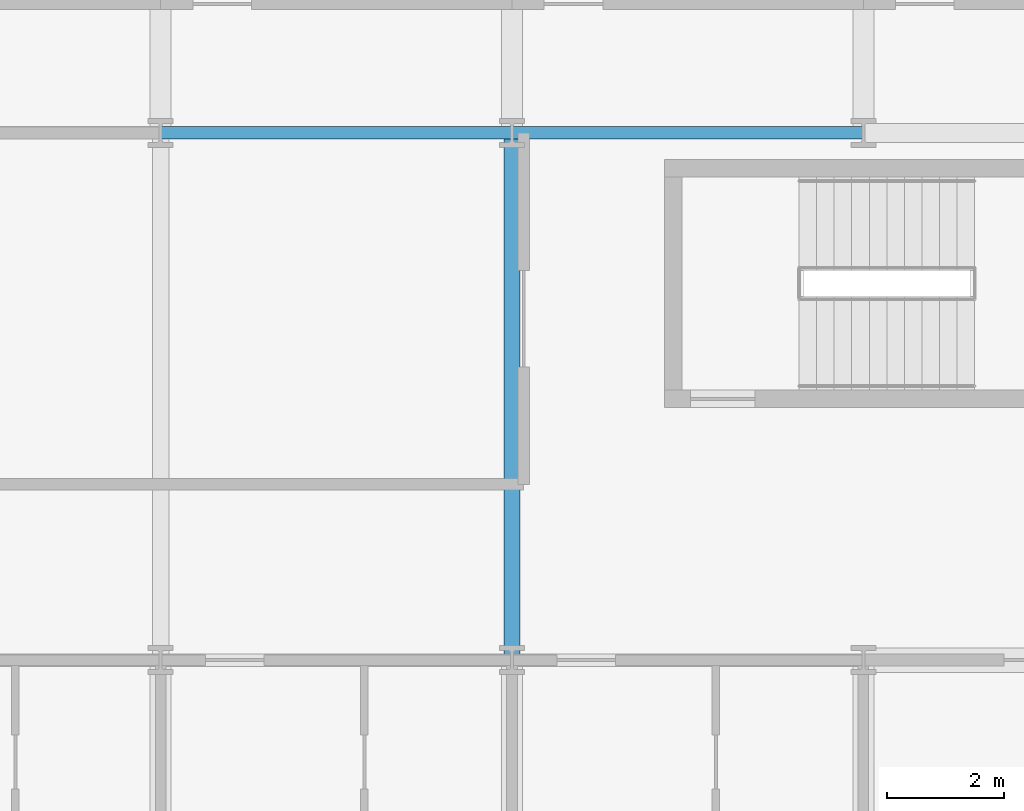
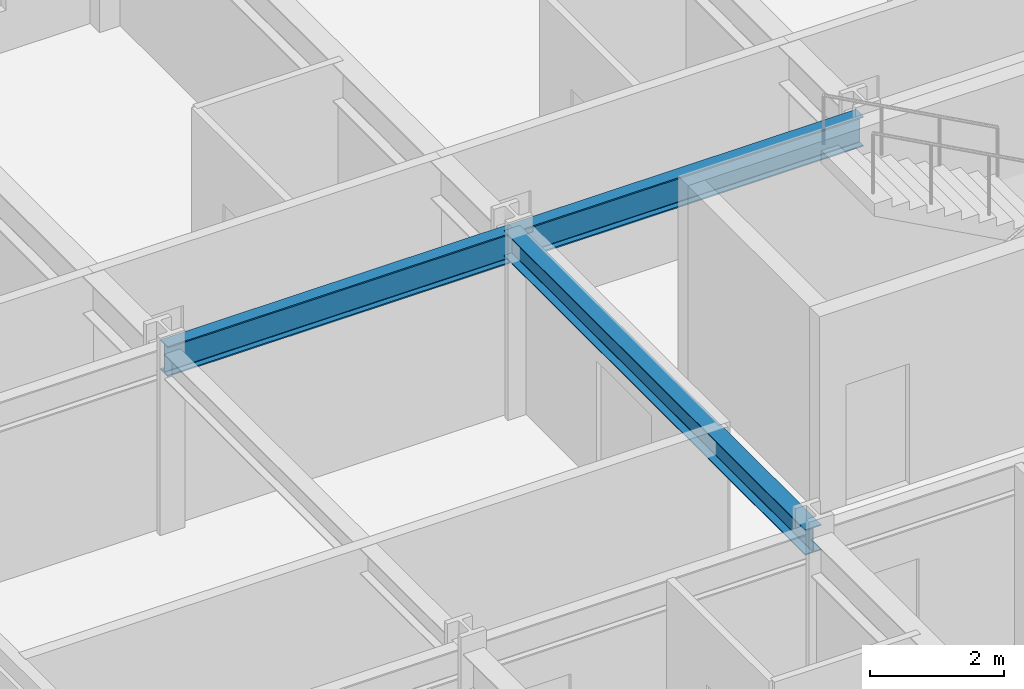
# One storey, part 7 of 22: 3 beams.
"""IFC4 building model written with IfcOpenShell, lengths in metres."""

from ifc_helpers import new_model, si_unit, direction, frame, origin, origin_2d, place, context, subcontext, project, spatial, i_section, extrude, material, material_profile, profile_set, type_object, element, save


model = new_model("IFC4")

# Units and contexts
model_context = context("Model", 3, precision=1e-05, world=origin(), true_north=direction((0.0, 1.0)))
body_context = subcontext(model_context, "Body", "Model", "MODEL_VIEW")
ifc_project = project(units=[si_unit("LENGTHUNIT", "METRE"), si_unit("AREAUNIT", "SQUARE_METRE"), si_unit("VOLUMEUNIT", "CUBIC_METRE"), si_unit("PLANEANGLEUNIT", "RADIAN"), si_unit("MASSUNIT", "GRAM", prefix="KILO")], contexts=[model_context])

# Site, building, storey
site_placement = place(None, origin())
site = spatial("IfcSite", under=ifc_project, at=site_placement, CompositionType="ELEMENT")
building_placement = place(site_placement, origin())
building = spatial("IfcBuilding", under=site, at=building_placement, Name="Kaldorvane Square Convention Centre", CompositionType="ELEMENT")
storey_placement = place(building_placement, frame((0.0, 0.0, 31.199996948242188)))
storey = spatial("IfcBuildingStorey", under=building, at=storey_placement, Name="L06", CompositionType="ELEMENT", Elevation=31.199996948242188)

# Beams
ifc_material = material(Name="Steel ASTM A992 Gr. 50", Category="steel")
ifc_material_profile_1 = material_profile(ifc_material, i_section(OverallWidth=0.213897705078125, OverallDepth=0.549102783203125, WebThickness=0.0146942138671875, FlangeThickness=0.0236053466796875, FilletRadius=0.0126953125, at=origin_2d()), Name="W21X93")
ifc_profile_set_1 = profile_set([ifc_material_profile_1], Name="Steel ASTM A992 Gr. 50")
beam_type_1 = type_object("IfcBeamType", Name="BM-GR-W21X93", PredefinedType="BEAM", material=ifc_profile_set_1)
for number, where, z_axis, x_axis, name in (
    (1, (30.0, 105.0, 3.0113983154296875), (1.0, 0.0, 0.0), (0.0, 1.0, 0.0), "Primary Girder (L06)"),
    (2, (36.0, 105.0, 3.0113983154296875), (1.0, 0.0, 0.0), (0.0, 1.0, 0.0), "Primary Girder (L06)"),
):
    element("IfcBeam", number, at=place(storey_placement, frame(where, z_axis=z_axis, x_axis=x_axis)), inside=storey, type_object=beam_type_1, Name=name, PredefinedType="BEAM", context=body_context, shape_type="SweptSolid", body=[
        extrude(i_section(OverallWidth=0.213897705078125, OverallDepth=0.549102783203125, WebThickness=0.0146942138671875, FlangeThickness=0.0236053466796875, FilletRadius=0.0126953125, at=origin_2d()), origin(), (0.0, 0.0, 1.0), 6.0),
    ])
ifc_material_profile_2 = material_profile(ifc_material, i_section(OverallWidth=0.2799072265625, OverallDepth=0.462799072265625, WebThickness=0.01080322265625, FlangeThickness=0.017303466796875, FilletRadius=0.01019287109375, at=origin_2d()), Name="W18X76")
ifc_profile_set_2 = profile_set([ifc_material_profile_2], Name="Steel ASTM A992 Gr. 50")
beam_type_2 = type_object("IfcBeamType", Name="BM-JS-W18X76", PredefinedType="JOIST", material=ifc_profile_set_2)
beam_placement = place(storey_placement, frame((36.0, 96.0, 3.054595947265625), z_axis=(0.0, 1.0, 0.0), x_axis=(-1.0, 0.0, 0.0)))
element("IfcBeam", 3, at=beam_placement, inside=storey, type_object=beam_type_2, Name="Transverse Girder (L06)", PredefinedType="JOIST", context=body_context, shape_type="SweptSolid", body=[
    extrude(i_section(OverallWidth=0.2799072265625, OverallDepth=0.462799072265625, WebThickness=0.01080322265625, FlangeThickness=0.017303466796875, FilletRadius=0.01019287109375, at=origin_2d()), origin(), (0.0, 0.0, 1.0), 9.0),
])

save(model, "model.ifc")
